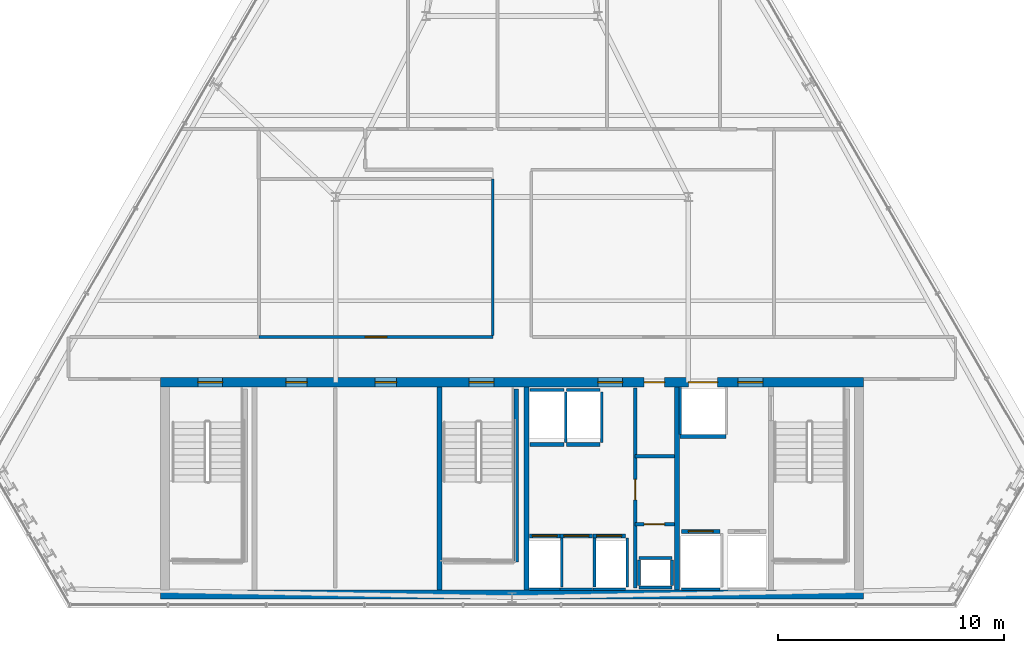
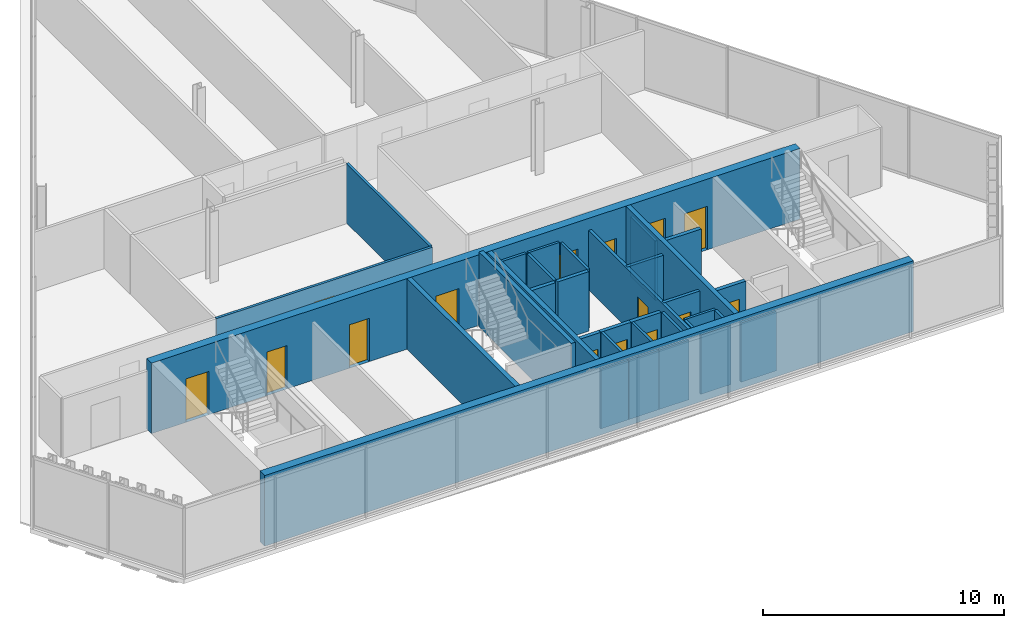
# One storey, part 24 of 29: 34 walls, 15 doors, 15 openings.
"""IFC4 building model written with IfcOpenShell, lengths in metres."""

from ifc_helpers import new_model, si_unit, direction, frame, frame_2d, origin, place, context, subcontext, project, spatial, rectangle, extrude, material, layer, layer_set, type_object, element, fill, save


model = new_model("IFC4")

# Units and contexts
model_context = context("Model", 3, precision=1e-05, world=origin(), true_north=direction((0.0, 1.0)))
body_context = subcontext(model_context, "Body", "Model", "MODEL_VIEW")
ifc_project = project(units=[si_unit("LENGTHUNIT", "METRE"), si_unit("AREAUNIT", "SQUARE_METRE"), si_unit("VOLUMEUNIT", "CUBIC_METRE"), si_unit("PLANEANGLEUNIT", "RADIAN"), si_unit("MASSUNIT", "GRAM", prefix="KILO")], contexts=[model_context])

# Site, building, storey
site_placement = place(None, origin())
site = spatial("IfcSite", under=ifc_project, at=site_placement, CompositionType="ELEMENT")
building_placement = place(site_placement, origin())
building = spatial("IfcBuilding", under=site, at=building_placement, Name="Ndaravel Arena Tower", CompositionType="ELEMENT")
storey_placement = place(building_placement, frame((0.0, 0.0, 229.39990234375)))
storey = spatial("IfcBuildingStorey", under=building, at=storey_placement, Name="L55", CompositionType="ELEMENT", Elevation=229.39990234375)

# Wall, opening, door
ifc_material_1 = material(Name="Gypsum", Category="gypsum")
ifc_layer_1 = layer(ifc_material_1, 0.14990234375)
ifc_layer_set_1 = layer_set([ifc_layer_1], Name="Gypsum")
wall_type_1 = type_object("IfcWallType", Name="WALL-COMP-150", PredefinedType="PARTITIONING", material=ifc_layer_set_1)
wall_1_placement = place(storey_placement, frame((47.449951171875, 5.89990234375, 0.0), z_axis=(0.0, 0.0, 1.0), x_axis=(0.0, 1.0, 0.0)))
wall_1 = element("IfcWall", 1, at=wall_1_placement, inside=storey, type_object=wall_type_1, Name="L55 Core Riser Bay Partition", PredefinedType="PARTITIONING", context=body_context, shape_type="SweptSolid", body=[
    extrude(rectangle(XDim=8.85009765625, YDim=0.14990234375, at=frame_2d((4.425048828125, 0.0))), origin(), (0.0, 0.0, 1.0), 3.010498046875),
])
opening_1_placement = place(wall_1_placement, frame((3.89990234375, 0.0, 0.0)))
opening_1 = element("IfcOpeningElement", 2, at=opening_1_placement, cuts=wall_1, Name="Opening RD-01", PredefinedType="OPENING", context=body_context, shape_type="SweptSolid", body=[
    extrude(rectangle(XDim=0.89990234375, YDim=2.10009765625, at=frame_2d((0.449951171875, 1.050048828125))), frame((0.0, 0.074951171875, 0.0), z_axis=(0.0, -1.0, 0.0), x_axis=(1.0, 0.0, 0.0)), (0.0, 0.0, 1.0), 0.14990234375),
])
ifc_material_2 = material(Name="Steel S355", Category="steel")
door_type_1 = type_object("IfcDoorType", Name="DT-08-RISER-900", OperationType="SINGLE_SWING_LEFT", PredefinedType="DOOR", material=ifc_material_2)
door_1_placement = place(opening_1_placement, origin())
door_1 = element("IfcDoor", 3, at=door_1_placement, inside=storey, type_object=door_type_1, Name="L55 Plumbing Riser Door", OperationType="SINGLE_SWING_LEFT", OverallHeight=2.10009765625, OverallWidth=0.89990234375, PredefinedType="DOOR", context=body_context, shape_type="SweptSolid", body=[
    extrude(rectangle(XDim=0.89990234375, YDim=2.10009765625, at=frame_2d((0.449951171875, 1.050048828125))), frame((0.0, 0.02490234375, 0.0), z_axis=(0.0, -1.0, 0.0), x_axis=(1.0, 0.0, 0.0)), (0.0, 0.0, 1.0), 0.050048828125),
])
fill(opening_1, door_1)

wall_2_placement = place(storey_placement, frame((47.449951171875, 8.719970703125, 0.0), z_axis=(0.0, 0.0, 1.0), x_axis=(1.0, 0.0, 0.0)))
wall_2 = element("IfcWall", 4, at=wall_2_placement, inside=storey, type_object=wall_type_1, Name="L55 Core Riser Divider 1", PredefinedType="PARTITIONING", context=body_context, shape_type="SweptSolid", body=[
    extrude(rectangle(XDim=1.72998046875, YDim=0.14990234375, at=frame_2d((0.864990234375, 0.0))), origin(), (0.0, 0.0, 1.0), 3.010498046875),
])
opening_2_placement = place(wall_2_placement, frame((0.39990234375, 0.0, 0.0)))
opening_2 = element("IfcOpeningElement", 5, at=opening_2_placement, cuts=wall_2, Name="Opening RD-01", PredefinedType="OPENING", context=body_context, shape_type="SweptSolid", body=[
    extrude(rectangle(XDim=0.89990234375, YDim=2.10009765625, at=frame_2d((0.449951171875, 1.050048828125))), frame((0.0, 0.074951171875, 0.0), z_axis=(0.0, -1.0, 0.0), x_axis=(1.0, 0.0, 0.0)), (0.0, 0.0, 1.0), 0.14990234375),
])
door_2_placement = place(opening_2_placement, origin())
door_2 = element("IfcDoor", 6, at=door_2_placement, inside=storey, type_object=door_type_1, Name="L55 Low-Voltage Riser Door", OperationType="SINGLE_SWING_RIGHT", OverallHeight=2.10009765625, OverallWidth=0.89990234375, PredefinedType="DOOR", context=body_context, shape_type="SweptSolid", body=[
    extrude(rectangle(XDim=0.89990234375, YDim=2.10009765625, at=frame_2d((0.449951171875, 1.050048828125))), frame((0.0, 0.02490234375, 0.0), z_axis=(0.0, -1.0, 0.0), x_axis=(1.0, 0.0, 0.0)), (0.0, 0.0, 1.0), 0.050048828125),
])
fill(opening_2, door_2)

# Walls
wall_3_placement = place(storey_placement, frame((47.449951171875, 11.719970703125, 0.0), z_axis=(0.0, 0.0, 1.0), x_axis=(1.0, 0.0, 0.0)))
element("IfcWall", 7, at=wall_3_placement, inside=storey, type_object=wall_type_1, Name="L55 Core Riser Divider 2", PredefinedType="PARTITIONING", context=body_context, shape_type="SweptSolid", body=[
    extrude(rectangle(XDim=1.72998046875, YDim=0.14990234375, at=frame_2d((0.864990234375, 0.0))), origin(), (0.0, 0.0, 1.0), 3.010498046875),
])
ifc_material_3 = material(Name="Concrete C50/60", Category="concrete")
ifc_layer_2 = layer(ifc_material_3, 0.219970703125)
ifc_layer_set_2 = layer_set([ifc_layer_2], Name="Concrete C50/60")
wall_type_2 = type_object("IfcWallType", Name="WALL-CORE-220", PredefinedType="SOLIDWALL", material=ifc_layer_set_2)
for number, where, z_axis, x_axis, name in (
    (8, (38.800048828125, 5.800048828125, 0.0), (0.0, 0.0, 1.0), (0.0, 1.0, 0.0), "L55 Core Web Shear Wall 2"),
    (9, (42.64990234375, 5.800048828125, 0.0), (0.0, 0.0, 1.0), (0.0, 1.0, 0.0), "L55 Core Web Shear Wall 3"),
    (10, (49.300048828125, 5.800048828125, 0.0), (0.0, 0.0, 1.0), (0.0, 1.0, 0.0), "L55 Core Web Shear Wall 4"),
):
    element("IfcWall", number, at=place(storey_placement, frame(where, z_axis=z_axis, x_axis=x_axis)), inside=storey, type_object=wall_type_2, Name=name, PredefinedType="SOLIDWALL", context=body_context, shape_type="SweptSolid", body=[
        extrude(rectangle(XDim=9.0, YDim=0.219970703125, at=frame_2d((4.5, 0.0))), origin(), (0.0, 0.0, 1.0), 3.580078125),
    ])

# Wall, openings, doors
ifc_material_4 = material(Name="Concrete C50/60", Category="concrete")
ifc_layer_3 = layer(ifc_material_4, 0.39990234375)
ifc_layer_set_3 = layer_set([ifc_layer_3], Name="Concrete C50/60")
wall_type_3 = type_object("IfcWallType", Name="WALL-CORE-400", PredefinedType="SOLIDWALL", material=ifc_layer_set_3)
wall_4_placement = place(storey_placement, frame((26.449951171875, 15.0, 0.0), z_axis=(0.0, 0.0, 1.0), x_axis=(1.0, 0.0, 0.0)))
wall_4 = element("IfcWall", 11, at=wall_4_placement, inside=storey, type_object=wall_type_3, Name="L55 Core North Shear Wall", PredefinedType="SOLIDWALL", context=body_context, shape_type="SweptSolid", body=[
    extrude(rectangle(XDim=31.10009765625, YDim=0.39990234375, at=frame_2d((15.550048828125, 0.0))), origin(), (0.0, 0.0, 1.0), 3.580078125),
])
opening_3_placement = place(wall_4_placement, frame((1.64990234375, 0.0, 0.0)))
opening_3 = element("IfcOpeningElement", 12, at=opening_3_placement, cuts=wall_4, Name="Opening FD-01", PredefinedType="OPENING", context=body_context, shape_type="SweptSolid", body=[
    extrude(rectangle(XDim=1.10009765625, YDim=2.199951171875, at=frame_2d((0.550048828125, 1.10009765625))), frame((0.0, 0.199951171875, 0.0), z_axis=(0.0, -1.0, 0.0), x_axis=(1.0, 0.0, 0.0)), (0.0, 0.0, 1.0), 0.39990234375),
])
opening_4_placement = place(wall_4_placement, frame((13.64990234375, 0.0, 0.0)))
opening_4 = element("IfcOpeningElement", 13, at=opening_4_placement, cuts=wall_4, Name="Opening FD-01", PredefinedType="OPENING", context=body_context, shape_type="SweptSolid", body=[
    extrude(rectangle(XDim=1.10009765625, YDim=2.199951171875, at=frame_2d((0.550048828125, 1.10009765625))), frame((0.0, 0.199951171875, 0.0), z_axis=(0.0, -1.0, 0.0), x_axis=(1.0, 0.0, 0.0)), (0.0, 0.0, 1.0), 0.39990234375),
])
opening_5_placement = place(wall_4_placement, frame((25.550048828125, 0.0, 0.0)))
opening_5 = element("IfcOpeningElement", 14, at=opening_5_placement, cuts=wall_4, Name="Opening FD-01", PredefinedType="OPENING", context=body_context, shape_type="SweptSolid", body=[
    extrude(rectangle(XDim=1.10009765625, YDim=2.199951171875, at=frame_2d((0.550048828125, 1.10009765625))), frame((0.0, 0.199951171875, 0.0), z_axis=(0.0, -1.0, 0.0), x_axis=(1.0, 0.0, 0.0)), (0.0, 0.0, 1.0), 0.39990234375),
])
opening_6_placement = place(wall_4_placement, frame((19.35009765625, 0.0, 0.0)))
opening_6 = element("IfcOpeningElement", 15, at=opening_6_placement, cuts=wall_4, Name="Opening FD-01", PredefinedType="OPENING", context=body_context, shape_type="SweptSolid", body=[
    extrude(rectangle(XDim=1.10009765625, YDim=2.199951171875, at=frame_2d((0.550048828125, 1.10009765625))), frame((0.0, 0.199951171875, 0.0), z_axis=(0.0, -1.0, 0.0), x_axis=(1.0, 0.0, 0.0)), (0.0, 0.0, 1.0), 0.39990234375),
])
opening_7_placement = place(wall_4_placement, frame((21.39990234375, 0.0, 0.0)))
opening_7 = element("IfcOpeningElement", 16, at=opening_7_placement, cuts=wall_4, Name="Opening RD-01", PredefinedType="OPENING", context=body_context, shape_type="SweptSolid", body=[
    extrude(rectangle(XDim=0.89990234375, YDim=2.10009765625, at=frame_2d((0.449951171875, 1.050048828125))), frame((0.0, 0.199951171875, 0.0), z_axis=(0.0, -1.0, 0.0), x_axis=(1.0, 0.0, 0.0)), (0.0, 0.0, 1.0), 0.39990234375),
])
opening_8_placement = place(wall_4_placement, frame((5.5400390625, 0.0, 0.0)))
opening_8 = element("IfcOpeningElement", 17, at=opening_8_placement, cuts=wall_4, Name="Opening FD-03", PredefinedType="OPENING", context=body_context, shape_type="SweptSolid", body=[
    extrude(rectangle(XDim=0.949951171875, YDim=2.199951171875, at=frame_2d((0.47509765625, 1.10009765625))), frame((0.0, 0.199951171875, 0.0), z_axis=(0.0, -1.0, 0.0), x_axis=(1.0, 0.0, 0.0)), (0.0, 0.0, 1.0), 0.39990234375),
])
opening_9_placement = place(wall_4_placement, frame((9.489990234375, 0.0, 0.0)))
opening_9 = element("IfcOpeningElement", 18, at=opening_9_placement, cuts=wall_4, Name="Opening FD-03", PredefinedType="OPENING", context=body_context, shape_type="SweptSolid", body=[
    extrude(rectangle(XDim=0.949951171875, YDim=2.199951171875, at=frame_2d((0.47509765625, 1.10009765625))), frame((0.0, 0.199951171875, 0.0), z_axis=(0.0, -1.0, 0.0), x_axis=(1.0, 0.0, 0.0)), (0.0, 0.0, 1.0), 0.39990234375),
])
opening_10_placement = place(wall_4_placement, frame((23.35009765625, 0.0, 0.0)))
opening_10 = element("IfcOpeningElement", 19, at=opening_10_placement, cuts=wall_4, Name="Opening LD-02", PredefinedType="OPENING", context=body_context, shape_type="SweptSolid", body=[
    extrude(rectangle(XDim=1.300048828125, YDim=2.300048828125, at=frame_2d((0.64990234375, 1.14990234375))), frame((0.0, 0.199951171875, 0.0), z_axis=(0.0, -1.0, 0.0), x_axis=(1.0, 0.0, 0.0)), (0.0, 0.0, 1.0), 0.39990234375),
])
ifc_material_5 = material(Name="Steel S355", Category="steel")
door_type_2 = type_object("IfcDoorType", Name="DT-01-STAIR-1100", OperationType="SINGLE_SWING_LEFT", PredefinedType="DOOR", material=ifc_material_5)
door_3_placement = place(opening_3_placement, origin())
door_3 = element("IfcDoor", 20, at=door_3_placement, inside=storey, type_object=door_type_2, Name="L55 Exit Stair ST-1 Door", OperationType="SINGLE_SWING_RIGHT", OverallHeight=2.199951171875, OverallWidth=1.10009765625, PredefinedType="DOOR", context=body_context, shape_type="SweptSolid", body=[
    extrude(rectangle(XDim=1.10009765625, YDim=2.199951171875, at=frame_2d((0.550048828125, 1.10009765625))), frame((0.0, 0.02490234375, 0.0), z_axis=(0.0, -1.0, 0.0), x_axis=(1.0, 0.0, 0.0)), (0.0, 0.0, 1.0), 0.050048828125),
])
fill(opening_3, door_3)
door_4_placement = place(opening_4_placement, origin())
door_4 = element("IfcDoor", 21, at=door_4_placement, inside=storey, type_object=door_type_2, Name="L55 Exit Stair ST-2 Door", OperationType="SINGLE_SWING_LEFT", OverallHeight=2.199951171875, OverallWidth=1.10009765625, PredefinedType="DOOR", context=body_context, shape_type="SweptSolid", body=[
    extrude(rectangle(XDim=1.10009765625, YDim=2.199951171875, at=frame_2d((0.550048828125, 1.10009765625))), frame((0.0, 0.02490234375, 0.0), z_axis=(0.0, -1.0, 0.0), x_axis=(1.0, 0.0, 0.0)), (0.0, 0.0, 1.0), 0.050048828125),
])
fill(opening_4, door_4)
door_5_placement = place(opening_5_placement, origin())
door_5 = element("IfcDoor", 22, at=door_5_placement, inside=storey, type_object=door_type_2, Name="L55 Firefighting Lift Lobby Door", OperationType="SINGLE_SWING_RIGHT", OverallHeight=2.199951171875, OverallWidth=1.10009765625, PredefinedType="DOOR", context=body_context, shape_type="SweptSolid", body=[
    extrude(rectangle(XDim=1.10009765625, YDim=2.199951171875, at=frame_2d((0.550048828125, 1.10009765625))), frame((0.0, 0.02490234375, 0.0), z_axis=(0.0, -1.0, 0.0), x_axis=(1.0, 0.0, 0.0)), (0.0, 0.0, 1.0), 0.050048828125),
])
fill(opening_5, door_5)
door_6_placement = place(opening_6_placement, origin())
door_6 = element("IfcDoor", 23, at=door_6_placement, inside=storey, type_object=door_type_2, Name="L55 Express Lift Lobby Entry Door", OperationType="SINGLE_SWING_LEFT", OverallHeight=2.199951171875, OverallWidth=1.10009765625, PredefinedType="DOOR", context=body_context, shape_type="SweptSolid", body=[
    extrude(rectangle(XDim=1.10009765625, YDim=2.199951171875, at=frame_2d((0.550048828125, 1.10009765625))), frame((0.0, 0.02490234375, 0.0), z_axis=(0.0, -1.0, 0.0), x_axis=(1.0, 0.0, 0.0)), (0.0, 0.0, 1.0), 0.050048828125),
])
fill(opening_6, door_6)
ifc_material_6 = material(Name="Steel S355", Category="steel")
door_type_3 = type_object("IfcDoorType", Name="DT-07-SVLIFT-1300", OperationType="DOUBLE_DOOR_SLIDING", PredefinedType="DOOR", material=ifc_material_6)
door_7_placement = place(opening_10_placement, origin())
door_7 = element("IfcDoor", 24, at=door_7_placement, inside=storey, type_object=door_type_3, Name="L55 Lift SVL-1 Sliding Landing Door", OperationType="DOUBLE_DOOR_SLIDING", OverallHeight=2.300048828125, OverallWidth=1.300048828125, PredefinedType="DOOR", context=body_context, shape_type="SweptSolid", body=[
    extrude(rectangle(XDim=1.300048828125, YDim=2.300048828125, at=frame_2d((0.64990234375, 1.14990234375))), frame((0.0, 0.02490234375, 0.0), z_axis=(0.0, -1.0, 0.0), x_axis=(1.0, 0.0, 0.0)), (0.0, 0.0, 1.0), 0.050048828125),
])
fill(opening_10, door_7)
door_8_placement = place(opening_7_placement, origin())
door_8 = element("IfcDoor", 25, at=door_8_placement, inside=storey, type_object=door_type_1, Name="L55 Core Service Riser North Door", OperationType="SINGLE_SWING_LEFT", OverallHeight=2.10009765625, OverallWidth=0.89990234375, PredefinedType="DOOR", context=body_context, shape_type="SweptSolid", body=[
    extrude(rectangle(XDim=0.89990234375, YDim=2.10009765625, at=frame_2d((0.449951171875, 1.050048828125))), frame((0.0, 0.02490234375, 0.0), z_axis=(0.0, -1.0, 0.0), x_axis=(1.0, 0.0, 0.0)), (0.0, 0.0, 1.0), 0.050048828125),
])
fill(opening_7, door_8)
ifc_material_7 = material(Name="Steel S355", Category="steel")
door_type_4 = type_object("IfcDoorType", Name="DT-11-CORE-950", OperationType="SINGLE_SWING_LEFT", PredefinedType="DOOR", material=ifc_material_7)
door_9_placement = place(opening_8_placement, origin())
door_9 = element("IfcDoor", 26, at=door_9_placement, inside=storey, type_object=door_type_4, Name="L55 High-Zone Reclaimed Core Room 1 Door", OperationType="SINGLE_SWING_LEFT", OverallHeight=2.199951171875, OverallWidth=0.949951171875, PredefinedType="DOOR", context=body_context, shape_type="SweptSolid", body=[
    extrude(rectangle(XDim=0.949951171875, YDim=2.199951171875, at=frame_2d((0.47509765625, 1.10009765625))), frame((0.0, 0.02490234375, 0.0), z_axis=(0.0, -1.0, 0.0), x_axis=(1.0, 0.0, 0.0)), (0.0, 0.0, 1.0), 0.050048828125),
])
fill(opening_8, door_9)
door_10_placement = place(opening_9_placement, origin())
door_10 = element("IfcDoor", 27, at=door_10_placement, inside=storey, type_object=door_type_4, Name="L55 High-Zone Reclaimed Core Room 2 Door", OperationType="SINGLE_SWING_RIGHT", OverallHeight=2.199951171875, OverallWidth=0.949951171875, PredefinedType="DOOR", context=body_context, shape_type="SweptSolid", body=[
    extrude(rectangle(XDim=0.949951171875, YDim=2.199951171875, at=frame_2d((0.47509765625, 1.10009765625))), frame((0.0, 0.02490234375, 0.0), z_axis=(0.0, -1.0, 0.0), x_axis=(1.0, 0.0, 0.0)), (0.0, 0.0, 1.0), 0.050048828125),
])
fill(opening_9, door_10)

# Wall
wall_5_placement = place(storey_placement, frame((26.449951171875, 5.60009765625, 0.0), z_axis=(0.0, 0.0, 1.0), x_axis=(1.0, 0.0, 0.0)))
element("IfcWall", 28, at=wall_5_placement, inside=storey, type_object=wall_type_3, Name="L55 Core South Shear Wall", PredefinedType="SOLIDWALL", context=body_context, shape_type="SweptSolid", body=[
    extrude(rectangle(XDim=31.10009765625, YDim=0.39990234375, at=frame_2d((15.550048828125, 0.0))), origin(), (0.0, 0.0, 1.0), 3.580078125),
])

# Wall, opening, door
ifc_material_8 = material(Name="Gypsum", Category="gypsum")
ifc_layer_4 = layer(ifc_material_8, 0.125)
ifc_layer_set_4 = layer_set([ifc_layer_4], Name="Gypsum")
wall_type_4 = type_object("IfcWallType", Name="WALL-PART-125", PredefinedType="PARTITIONING", material=ifc_layer_set_4)
wall_6_placement = place(storey_placement, frame((30.800048828125, 17.0, 0.0), z_axis=(0.0, 0.0, 1.0), x_axis=(1.0, 0.0, 0.0)))
wall_6 = element("IfcWall", 29, at=wall_6_placement, inside=storey, type_object=wall_type_4, Name="L55 Interior Partition 006", PredefinedType="PARTITIONING", context=body_context, shape_type="SweptSolid", body=[
    extrude(rectangle(XDim=10.349853515625, YDim=0.125, at=frame_2d((5.1748046875, 0.0))), origin(), (0.0, 0.0, 1.0), 3.010498046875),
])
opening_11_placement = place(wall_6_placement, frame((4.699951171875, 0.0, 0.0)))
opening_11 = element("IfcOpeningElement", 30, at=opening_11_placement, cuts=wall_6, Name="Opening ID-01", PredefinedType="OPENING", context=body_context, shape_type="SweptSolid", body=[
    extrude(rectangle(XDim=0.949951171875, YDim=2.199951171875, at=frame_2d((0.47509765625, 1.10009765625))), frame((0.0, 0.0625, 0.0), z_axis=(0.0, -1.0, 0.0), x_axis=(1.0, 0.0, 0.0)), (0.0, 0.0, 1.0), 0.125),
])
ifc_material_9 = material(Name="Timber", Category="wood")
door_type_5 = type_object("IfcDoorType", Name="DT-03-OFFICE-950", OperationType="SINGLE_SWING_LEFT", PredefinedType="DOOR", material=ifc_material_9)
door_11_placement = place(opening_11_placement, origin())
door_11 = element("IfcDoor", 31, at=door_11_placement, inside=storey, type_object=door_type_5, Name="L55 Quiet Reading Library Door", OperationType="SINGLE_SWING_RIGHT", OverallHeight=2.199951171875, OverallWidth=0.949951171875, PredefinedType="DOOR", context=body_context, shape_type="SweptSolid", body=[
    extrude(rectangle(XDim=0.949951171875, YDim=2.199951171875, at=frame_2d((0.47509765625, 1.10009765625))), frame((0.0, 0.02490234375, 0.0), z_axis=(0.0, -1.0, 0.0), x_axis=(1.0, 0.0, 0.0)), (0.0, 0.0, 1.0), 0.050048828125),
])
fill(opening_11, door_11)

# Walls
wall_7_placement = place(storey_placement, frame((41.14990234375, 17.06494140625, 0.0), z_axis=(0.0, 0.0, 1.0), x_axis=(0.0, 1.0, 0.0)))
element("IfcWall", 32, at=wall_7_placement, inside=storey, type_object=wall_type_4, Name="L55 Interior Partition 007", PredefinedType="PARTITIONING", context=body_context, shape_type="SweptSolid", body=[
    extrude(rectangle(XDim=6.927001953125, YDim=0.125, at=frame_2d((3.46337890625, 0.0))), origin(), (0.0, 0.0, 1.0), 3.010498046875),
])
ifc_material_10 = material(Name="Concrete C40/50", Category="concrete")
ifc_layer_5 = layer(ifc_material_10, 0.1201171875)
ifc_layer_set_5 = layer_set([ifc_layer_5], Name="Concrete C40/50")
wall_type_5 = type_object("IfcWallType", Name="WALL-SHAFT-120", PredefinedType="SOLIDWALL", material=ifc_layer_set_5)
for number, where, z_axis, x_axis, name in (
    (33, (47.6201171875, 5.919921875, 0.0), (0.0, 0.0, 1.0), (1.0, 0.0, 0.0), "L55 MEP Riser Shaft S Wall"),
    (34, (47.6201171875, 7.219970703125, 0.0), (0.0, 0.0, 1.0), (1.0, 0.0, 0.0), "L55 MEP Riser Shaft N Wall"),
):
    element("IfcWall", number, at=place(storey_placement, frame(where, z_axis=z_axis, x_axis=x_axis)), inside=storey, type_object=wall_type_5, Name=name, PredefinedType="SOLIDWALL", context=body_context, shape_type="SweptSolid", body=[
        extrude(rectangle(XDim=1.4599609375, YDim=0.1201171875, at=frame_2d((0.72998046875, 0.0))), origin(), (0.0, 0.0, 1.0), 3.010498046875),
    ])
for number, where, z_axis, x_axis, name in (
    (35, (47.6201171875, 6.0, 0.0), (0.0, 0.0, 1.0), (0.0, 1.0, 0.0), "L55 MEP Riser Shaft W Wall"),
    (36, (49.080078125, 6.0, 0.0), (0.0, 0.0, 1.0), (0.0, 1.0, 0.0), "L55 MEP Riser Shaft E Wall"),
):
    element("IfcWall", number, at=place(storey_placement, frame(where, z_axis=z_axis, x_axis=x_axis)), inside=storey, type_object=wall_type_5, Name=name, PredefinedType="SOLIDWALL", context=body_context, shape_type="SweptSolid", body=[
        extrude(rectangle(XDim=1.139892578125, YDim=0.1201171875, at=frame_2d((0.56982421875, 0.0))), origin(), (0.0, 0.0, 1.0), 3.010498046875),
    ])
wall_8_placement = place(storey_placement, frame((42.780029296875, 5.840087890625, 0.0), z_axis=(0.0, 0.0, 1.0), x_axis=(1.0, 0.0, 0.0)))
element("IfcWall", 37, at=wall_8_placement, inside=storey, type_object=wall_type_5, Name="L55 PL-H1 Shaft Rear Wall", PredefinedType="SOLIDWALL", context=body_context, shape_type="SweptSolid", body=[
    extrude(rectangle(XDim=1.340087890625, YDim=0.1201171875, at=frame_2d((0.669921875, 0.0))), origin(), (0.0, 0.0, 1.0), 3.010498046875),
])
wall_9_placement = place(storey_placement, frame((44.199951171875, 5.929931640625, 0.0), z_axis=(0.0, 0.0, 1.0), x_axis=(0.0, 1.0, 0.0)))
element("IfcWall", 38, at=wall_9_placement, inside=storey, type_object=wall_type_5, Name="L55 PL-H1 Shaft Side R Wall", PredefinedType="SOLIDWALL", context=body_context, shape_type="SweptSolid", body=[
    extrude(rectangle(XDim=2.18017578125, YDim=0.1201171875, at=frame_2d((1.090087890625, 0.0))), origin(), (0.0, 0.0, 1.0), 3.010498046875),
])
wall_10_placement = place(storey_placement, frame((44.1298828125, 5.840087890625, 0.0), z_axis=(0.0, 0.0, 1.0), x_axis=(1.0, 0.0, 0.0)))
element("IfcWall", 39, at=wall_10_placement, inside=storey, type_object=wall_type_5, Name="L55 PL-H2 Shaft Rear Wall", PredefinedType="SOLIDWALL", context=body_context, shape_type="SweptSolid", body=[
    extrude(rectangle(XDim=1.440185546875, YDim=0.1201171875, at=frame_2d((0.72021484375, 0.0))), origin(), (0.0, 0.0, 1.0), 3.010498046875),
])
wall_11_placement = place(storey_placement, frame((45.64990234375, 5.929931640625, 0.0), z_axis=(0.0, 0.0, 1.0), x_axis=(0.0, 1.0, 0.0)))
element("IfcWall", 40, at=wall_11_placement, inside=storey, type_object=wall_type_5, Name="L55 PL-H2 Shaft Side R Wall", PredefinedType="SOLIDWALL", context=body_context, shape_type="SweptSolid", body=[
    extrude(rectangle(XDim=2.18017578125, YDim=0.1201171875, at=frame_2d((1.090087890625, 0.0))), origin(), (0.0, 0.0, 1.0), 3.010498046875),
])
wall_12_placement = place(storey_placement, frame((45.580078125, 5.840087890625, 0.0), z_axis=(0.0, 0.0, 1.0), x_axis=(1.0, 0.0, 0.0)))
element("IfcWall", 41, at=wall_12_placement, inside=storey, type_object=wall_type_5, Name="L55 PL-H3 Shaft Rear Wall", PredefinedType="SOLIDWALL", context=body_context, shape_type="SweptSolid", body=[
    extrude(rectangle(XDim=1.43994140625, YDim=0.1201171875, at=frame_2d((0.719970703125, 0.0))), origin(), (0.0, 0.0, 1.0), 3.010498046875),
])
wall_13_placement = place(storey_placement, frame((47.10009765625, 5.929931640625, 0.0), z_axis=(0.0, 0.0, 1.0), x_axis=(0.0, 1.0, 0.0)))
element("IfcWall", 42, at=wall_13_placement, inside=storey, type_object=wall_type_5, Name="L55 PL-H3 Shaft Side R Wall", PredefinedType="SOLIDWALL", context=body_context, shape_type="SweptSolid", body=[
    extrude(rectangle(XDim=2.18017578125, YDim=0.1201171875, at=frame_2d((1.090087890625, 0.0))), origin(), (0.0, 0.0, 1.0), 3.010498046875),
])
wall_14_placement = place(storey_placement, frame((42.804931640625, 14.659912109375, 0.0), z_axis=(0.0, 0.0, 1.0), x_axis=(1.0, 0.0, 0.0)))
element("IfcWall", 43, at=wall_14_placement, inside=storey, type_object=wall_type_5, Name="L55 PL-OBS1 Shaft Rear Wall", PredefinedType="SOLIDWALL", context=body_context, shape_type="SweptSolid", body=[
    extrude(rectangle(XDim=1.489990234375, YDim=0.1201171875, at=frame_2d((0.7451171875, 0.0))), origin(), (0.0, 0.0, 1.0), 3.010498046875),
])
wall_15_placement = place(storey_placement, frame((44.375, 12.340087890625, 0.0), z_axis=(0.0, 0.0, 1.0), x_axis=(0.0, 1.0, 0.0)))
element("IfcWall", 44, at=wall_15_placement, inside=storey, type_object=wall_type_5, Name="L55 PL-OBS1 Shaft Side R Wall", PredefinedType="SOLIDWALL", context=body_context, shape_type="SweptSolid", body=[
    extrude(rectangle(XDim=2.22998046875, YDim=0.1201171875, at=frame_2d((1.114990234375, 0.0))), origin(), (0.0, 0.0, 1.0), 3.010498046875),
])
wall_16_placement = place(storey_placement, frame((44.405029296875, 14.659912109375, 0.0), z_axis=(0.0, 0.0, 1.0), x_axis=(1.0, 0.0, 0.0)))
element("IfcWall", 45, at=wall_16_placement, inside=storey, type_object=wall_type_5, Name="L55 PL-OBS2 Shaft Rear Wall", PredefinedType="SOLIDWALL", context=body_context, shape_type="SweptSolid", body=[
    extrude(rectangle(XDim=1.489990234375, YDim=0.1201171875, at=frame_2d((0.7451171875, 0.0))), origin(), (0.0, 0.0, 1.0), 3.010498046875),
])
wall_17_placement = place(storey_placement, frame((45.97509765625, 12.340087890625, 0.0), z_axis=(0.0, 0.0, 1.0), x_axis=(0.0, 1.0, 0.0)))
element("IfcWall", 46, at=wall_17_placement, inside=storey, type_object=wall_type_5, Name="L55 PL-OBS2 Shaft Side R Wall", PredefinedType="SOLIDWALL", context=body_context, shape_type="SweptSolid", body=[
    extrude(rectangle(XDim=2.22998046875, YDim=0.1201171875, at=frame_2d((1.114990234375, 0.0))), origin(), (0.0, 0.0, 1.0), 3.010498046875),
])
wall_18_placement = place(storey_placement, frame((49.5048828125, 5.840087890625, 0.0), z_axis=(0.0, 0.0, 1.0), x_axis=(1.0, 0.0, 0.0)))
element("IfcWall", 47, at=wall_18_placement, inside=storey, type_object=wall_type_5, Name="L55 FFL-1 Shaft Rear Wall", PredefinedType="SOLIDWALL", context=body_context, shape_type="SweptSolid", body=[
    extrude(rectangle(XDim=1.690185546875, YDim=0.1201171875, at=frame_2d((0.84521484375, 0.0))), origin(), (0.0, 0.0, 1.0), 3.010498046875),
])
wall_19_placement = place(storey_placement, frame((49.43994140625, 12.68994140625, 0.0), z_axis=(0.0, 0.0, 1.0), x_axis=(0.0, 1.0, 0.0)))
element("IfcWall", 48, at=wall_19_placement, inside=storey, type_object=wall_type_5, Name="L55 SVL-1 Shaft W Wall", PredefinedType="SOLIDWALL", context=body_context, shape_type="SweptSolid", body=[
    extrude(rectangle(XDim=2.070068359375, YDim=0.1201171875, at=frame_2d((1.03515625, 0.0))), origin(), (0.0, 0.0, 1.0), 3.010498046875),
])
ifc_material_11 = material(Name="Concrete C40/50", Category="concrete")
ifc_layer_6 = layer(ifc_material_11, 0.199951171875)
ifc_layer_set_6 = layer_set([ifc_layer_6], Name="Concrete C40/50")
wall_type_6 = type_object("IfcWallType", Name="WALL-SHAFT-200", PredefinedType="SOLIDWALL", material=ifc_layer_set_6)
wall_20_placement = place(storey_placement, frame((42.18994140625, 14.699951171875, 0.0), z_axis=(0.0, 0.0, 1.0), x_axis=(0.0, -1.0, 0.0)))
element("IfcWall", 49, at=wall_20_placement, inside=storey, type_object=wall_type_6, Name="L55 ST-2 Structural Shaft Wall Right", PredefinedType="SOLIDWALL", context=body_context, shape_type="SweptSolid", body=[
    extrude(rectangle(XDim=7.64990234375, YDim=0.199951171875, at=frame_2d((3.824951171875, 0.0))), origin(), (0.0, 0.0, 1.0), 3.800048828125),
])

# Wall, opening, door
wall_21_placement = place(storey_placement, frame((42.780029296875, 8.199951171875, 0.0), z_axis=(0.0, 0.0, 1.0), x_axis=(1.0, 0.0, 0.0)))
wall_21 = element("IfcWall", 50, at=wall_21_placement, inside=storey, type_object=wall_type_6, Name="L55 PL-H1 Shaft Landing Wall", PredefinedType="SOLIDWALL", context=body_context, shape_type="SweptSolid", body=[
    extrude(rectangle(XDim=1.340087890625, YDim=0.179931640625, at=frame_2d((0.669921875, 0.0))), origin(), (0.0, 0.0, 1.0), 3.010498046875),
])
opening_12_placement = place(wall_21_placement, frame((0.1201171875, 0.0, 0.0)))
opening_12 = element("IfcOpeningElement", 51, at=opening_12_placement, cuts=wall_21, Name="Opening LD-01", PredefinedType="OPENING", context=body_context, shape_type="SweptSolid", body=[
    extrude(rectangle(XDim=1.10009765625, YDim=2.199951171875, at=frame_2d((0.550048828125, 1.10009765625))), frame((0.0, 0.08984375, 0.0), z_axis=(0.0, -1.0, 0.0), x_axis=(1.0, 0.0, 0.0)), (0.0, 0.0, 1.0), 0.179931640625),
])
ifc_material_12 = material(Name="Steel S355", Category="steel")
door_type_6 = type_object("IfcDoorType", Name="DT-06-LIFT-1100", OperationType="SLIDING_TO_LEFT", PredefinedType="DOOR", material=ifc_material_12)
door_12_placement = place(opening_12_placement, origin())
door_12 = element("IfcDoor", 52, at=door_12_placement, inside=storey, type_object=door_type_6, Name="L55 Lift PL-H1 Sliding Landing Door", OperationType="SLIDING_TO_LEFT", OverallHeight=2.199951171875, OverallWidth=1.10009765625, PredefinedType="DOOR", context=body_context, shape_type="SweptSolid", body=[
    extrude(rectangle(XDim=1.10009765625, YDim=2.199951171875, at=frame_2d((0.550048828125, 1.10009765625))), frame((0.0, 0.02490234375, 0.0), z_axis=(0.0, -1.0, 0.0), x_axis=(1.0, 0.0, 0.0)), (0.0, 0.0, 1.0), 0.050048828125),
])
fill(opening_12, door_12)

wall_22_placement = place(storey_placement, frame((44.1298828125, 8.199951171875, 0.0), z_axis=(0.0, 0.0, 1.0), x_axis=(1.0, 0.0, 0.0)))
wall_22 = element("IfcWall", 53, at=wall_22_placement, inside=storey, type_object=wall_type_6, Name="L55 PL-H2 Shaft Landing Wall", PredefinedType="SOLIDWALL", context=body_context, shape_type="SweptSolid", body=[
    extrude(rectangle(XDim=1.440185546875, YDim=0.179931640625, at=frame_2d((0.72021484375, 0.0))), origin(), (0.0, 0.0, 1.0), 3.010498046875),
])
opening_13_placement = place(wall_22_placement, frame((0.169921875, 0.0, 0.0)))
opening_13 = element("IfcOpeningElement", 54, at=opening_13_placement, cuts=wall_22, Name="Opening LD-01", PredefinedType="OPENING", context=body_context, shape_type="SweptSolid", body=[
    extrude(rectangle(XDim=1.10009765625, YDim=2.199951171875, at=frame_2d((0.550048828125, 1.10009765625))), frame((0.0, 0.08984375, 0.0), z_axis=(0.0, -1.0, 0.0), x_axis=(1.0, 0.0, 0.0)), (0.0, 0.0, 1.0), 0.179931640625),
])
door_13_placement = place(opening_13_placement, origin())
door_13 = element("IfcDoor", 55, at=door_13_placement, inside=storey, type_object=door_type_6, Name="L55 Lift PL-H2 Sliding Landing Door", OperationType="SLIDING_TO_LEFT", OverallHeight=2.199951171875, OverallWidth=1.10009765625, PredefinedType="DOOR", context=body_context, shape_type="SweptSolid", body=[
    extrude(rectangle(XDim=1.10009765625, YDim=2.199951171875, at=frame_2d((0.550048828125, 1.10009765625))), frame((0.0, 0.02490234375, 0.0), z_axis=(0.0, -1.0, 0.0), x_axis=(1.0, 0.0, 0.0)), (0.0, 0.0, 1.0), 0.050048828125),
])
fill(opening_13, door_13)

wall_23_placement = place(storey_placement, frame((45.580078125, 8.199951171875, 0.0), z_axis=(0.0, 0.0, 1.0), x_axis=(1.0, 0.0, 0.0)))
wall_23 = element("IfcWall", 56, at=wall_23_placement, inside=storey, type_object=wall_type_6, Name="L55 PL-H3 Shaft Landing Wall", PredefinedType="SOLIDWALL", context=body_context, shape_type="SweptSolid", body=[
    extrude(rectangle(XDim=1.43994140625, YDim=0.179931640625, at=frame_2d((0.719970703125, 0.0))), origin(), (0.0, 0.0, 1.0), 3.010498046875),
])
opening_14_placement = place(wall_23_placement, frame((0.169921875, 0.0, 0.0)))
opening_14 = element("IfcOpeningElement", 57, at=opening_14_placement, cuts=wall_23, Name="Opening LD-01", PredefinedType="OPENING", context=body_context, shape_type="SweptSolid", body=[
    extrude(rectangle(XDim=1.10009765625, YDim=2.199951171875, at=frame_2d((0.550048828125, 1.10009765625))), frame((0.0, 0.08984375, 0.0), z_axis=(0.0, -1.0, 0.0), x_axis=(1.0, 0.0, 0.0)), (0.0, 0.0, 1.0), 0.179931640625),
])
door_14_placement = place(opening_14_placement, origin())
door_14 = element("IfcDoor", 58, at=door_14_placement, inside=storey, type_object=door_type_6, Name="L55 Lift PL-H3 Sliding Landing Door", OperationType="SLIDING_TO_LEFT", OverallHeight=2.199951171875, OverallWidth=1.10009765625, PredefinedType="DOOR", context=body_context, shape_type="SweptSolid", body=[
    extrude(rectangle(XDim=1.10009765625, YDim=2.199951171875, at=frame_2d((0.550048828125, 1.10009765625))), frame((0.0, 0.02490234375, 0.0), z_axis=(0.0, -1.0, 0.0), x_axis=(1.0, 0.0, 0.0)), (0.0, 0.0, 1.0), 0.050048828125),
])
fill(opening_14, door_14)

# Walls
for number, where, z_axis, x_axis, name in (
    (59, (42.804931640625, 12.25, 0.0), (0.0, 0.0, 1.0), (1.0, 0.0, 0.0), "L55 PL-OBS1 Shaft Landing Wall"),
    (60, (44.405029296875, 12.25, 0.0), (0.0, 0.0, 1.0), (1.0, 0.0, 0.0), "L55 PL-OBS2 Shaft Landing Wall"),
):
    element("IfcWall", number, at=place(storey_placement, frame(where, z_axis=z_axis, x_axis=x_axis)), inside=storey, type_object=wall_type_6, Name=name, PredefinedType="SOLIDWALL", context=body_context, shape_type="SweptSolid", body=[
        extrude(rectangle(XDim=1.489990234375, YDim=0.179931640625, at=frame_2d((0.7451171875, 0.0))), origin(), (0.0, 0.0, 1.0), 3.010498046875),
    ])

# Wall, opening, door
wall_24_placement = place(storey_placement, frame((49.5048828125, 8.39990234375, 0.0), z_axis=(0.0, 0.0, 1.0), x_axis=(1.0, 0.0, 0.0)))
wall_24 = element("IfcWall", 61, at=wall_24_placement, inside=storey, type_object=wall_type_6, Name="L55 FFL-1 Shaft Landing Wall", PredefinedType="SOLIDWALL", context=body_context, shape_type="SweptSolid", body=[
    extrude(rectangle(XDim=1.690185546875, YDim=0.179931640625, at=frame_2d((0.84521484375, 0.0))), origin(), (0.0, 0.0, 1.0), 3.010498046875),
])
opening_15_placement = place(wall_24_placement, frame((0.294921875, 0.0, 0.0)))
opening_15 = element("IfcOpeningElement", 62, at=opening_15_placement, cuts=wall_24, Name="Opening LD-01", PredefinedType="OPENING", context=body_context, shape_type="SweptSolid", body=[
    extrude(rectangle(XDim=1.10009765625, YDim=2.199951171875, at=frame_2d((0.550048828125, 1.10009765625))), frame((0.0, 0.08984375, 0.0), z_axis=(0.0, -1.0, 0.0), x_axis=(1.0, 0.0, 0.0)), (0.0, 0.0, 1.0), 0.179931640625),
])
door_15_placement = place(opening_15_placement, origin())
door_15 = element("IfcDoor", 63, at=door_15_placement, inside=storey, type_object=door_type_6, Name="L55 Lift FFL-1 Sliding Landing Door", OperationType="SLIDING_TO_LEFT", OverallHeight=2.199951171875, OverallWidth=1.10009765625, PredefinedType="DOOR", context=body_context, shape_type="SweptSolid", body=[
    extrude(rectangle(XDim=1.10009765625, YDim=2.199951171875, at=frame_2d((0.550048828125, 1.10009765625))), frame((0.0, 0.02490234375, 0.0), z_axis=(0.0, -1.0, 0.0), x_axis=(1.0, 0.0, 0.0)), (0.0, 0.0, 1.0), 0.050048828125),
])
fill(opening_15, door_15)

# Wall
wall_25_placement = place(storey_placement, frame((49.43994140625, 12.594970703125, 0.0), z_axis=(0.0, 0.0, 1.0), x_axis=(1.0, 0.0, 0.0)))
element("IfcWall", 64, at=wall_25_placement, inside=storey, type_object=wall_type_6, Name="L55 SVL-1 Shaft South Wall", PredefinedType="SOLIDWALL", context=body_context, shape_type="SweptSolid", body=[
    extrude(rectangle(XDim=2.0400390625, YDim=0.179931640625, at=frame_2d((1.02001953125, 0.0))), origin(), (0.0, 0.0, 1.0), 3.010498046875),
])

save(model, "model.ifc")
